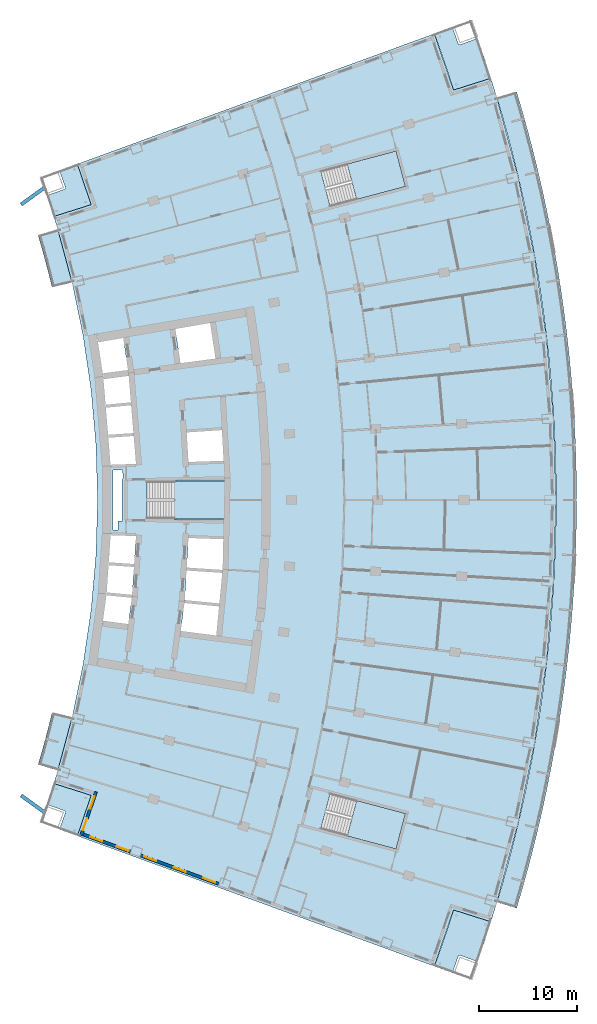
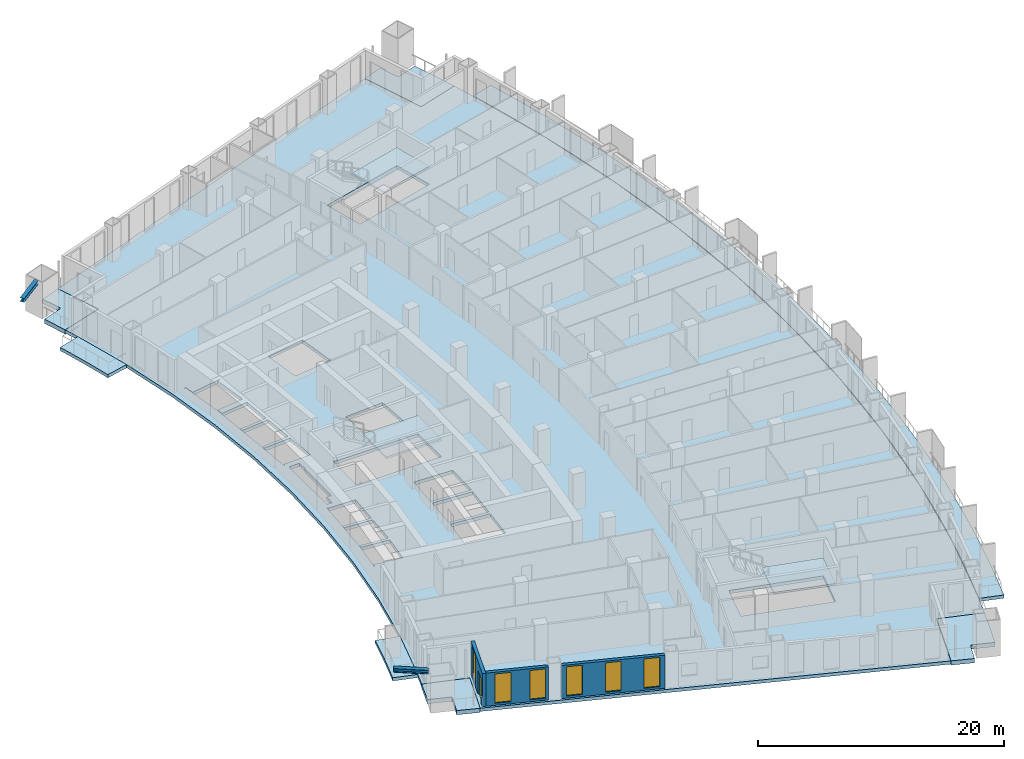
# One storey, part 12 of 25: 11 slabs, 6 windows, 3 walls, 2 members, 1 door, 7 openings, 3 elements without a shape of their own.
"""IFC4 building model written with IfcOpenShell, lengths in metres."""

import ifcopenshell
import ifcopenshell.guid

model = None  # the IFC model being written
_history = None  # IfcOwnerHistory: only IFC2X3 demands one
_inside = {}  # id of a spatial element -> (the spatial element, [elements in it])
_under = {}  # id of a project, library or spatial element -> (it, [spatial elements below it])
_declared = {}  # id of a project -> (the project, [libraries it declares])
_typed = {}  # id of a type object -> (the type object, [elements of that type])
_made_of = {}  # id of a material, layer set ... -> (it, [elements and type objects made of it])


def new_model(schema):
    """Start an empty IFC model of exactly this schema.

    Asked for "IFC4X3", IfcOpenShell would pick the latest addendum, in which some entities
    have other attributes; the version numbers below select the first issue.
    IFC2X3 requires an IfcOwnerHistory on every rooted entity: one is made here for all.
    """
    global model, _history
    if schema == "IFC4X3":
        model = ifcopenshell.file(schema_version=(4, 3, 0, 0))
    else:
        model = ifcopenshell.file(schema=schema)
    _inside.clear()
    _under.clear()
    _declared.clear()
    _typed.clear()
    _made_of.clear()
    _history = None
    if model.schema == "IFC2X3":
        org = make("IfcOrganization", Name="unknown")
        user = make(
            "IfcPersonAndOrganization",
            ThePerson=make("IfcPerson", FamilyName="unknown"),
            TheOrganization=org,
        )
        app = make(
            "IfcApplication",
            ApplicationDeveloper=org,
            Version="unknown",
            ApplicationFullName="unknown",
            ApplicationIdentifier="unknown",
        )
        _history = make(
            "IfcOwnerHistory",
            OwningUser=user,
            OwningApplication=app,
            ChangeAction="ADDED",
            CreationDate=0,
        )
    return model


def make(cls, **values):
    """One entity of the class cls with the attributes given. An attribute that is None is left unset."""
    return model.create_entity(
        cls, **{name: value for name, value in values.items() if value is not None}
    )


def rooted(cls, **values):
    """An entity with a GlobalId (a new one), such as an element, a storey or a relation."""
    return make(cls, GlobalId=ifcopenshell.guid.new(), OwnerHistory=_history, **values)


def si_unit(unit_type, name, prefix=None):
    """IfcSIUnit, for example si_unit("LENGTHUNIT", "METRE", prefix="MILLI")."""
    return make("IfcSIUnit", UnitType=unit_type, Prefix=prefix, Name=name)


def assignment(units):
    """IfcUnitAssignment: the units of a project."""
    return None if units is None else make("IfcUnitAssignment", Units=units)


def point(xyz):
    """IfcCartesianPoint."""
    return None if xyz is None else make("IfcCartesianPoint", Coordinates=xyz)


def direction(xyz):
    """IfcDirection."""
    return None if xyz is None else make("IfcDirection", DirectionRatios=xyz)


def frame(location, z_axis=None, x_axis=None):
    """IfcAxis2Placement3D, a coordinate frame: its origin and axes. An axis left out is left unset."""
    return make(
        "IfcAxis2Placement3D",
        Location=point(location),
        Axis=direction(z_axis),
        RefDirection=direction(x_axis),
    )


def frame_2d(location, x_axis=None):
    """IfcAxis2Placement2D, a coordinate frame in the plane: its origin and x axis."""
    return make(
        "IfcAxis2Placement2D", Location=point(location), RefDirection=direction(x_axis)
    )


def origin():
    """The frame at (0, 0, 0) with its axes left unset."""
    return frame((0.0, 0.0, 0.0))


def origin_2d():
    """The frame at (0, 0) in the plane with its x axis left unset."""
    return frame_2d((0.0, 0.0))


def place(relative_to, where):
    """IfcLocalPlacement: puts the frame where relative to a parent placement (None: the world)."""
    return make(
        "IfcLocalPlacement", PlacementRelTo=relative_to, RelativePlacement=where
    )


def context(
    kind, dimensions, precision=None, world=None, true_north=None, identifier=None
):
    """IfcGeometricRepresentationContext, for example the 3D "Model" context."""
    return make(
        "IfcGeometricRepresentationContext",
        ContextIdentifier=identifier,
        ContextType=kind,
        CoordinateSpaceDimension=dimensions,
        Precision=precision,
        WorldCoordinateSystem=world,
        TrueNorth=true_north,
    )


def subcontext(parent, identifier, kind, view, scale=None):
    """IfcGeometricRepresentationSubContext, for example "Body" below "Model"."""
    return make(
        "IfcGeometricRepresentationSubContext",
        ContextIdentifier=identifier,
        ContextType=kind,
        ParentContext=parent,
        TargetScale=scale,
        TargetView=view,
    )


def project(units=None, contexts=None):
    """IfcProject with its units and contexts."""
    return rooted(
        "IfcProject",
        Name="project",
        RepresentationContexts=contexts,
        UnitsInContext=assignment(units),
    )


def spatial(cls, under=None, at=None, **own):
    """A site, building, storey or space (cls), placed at a placement, below another one or the project."""
    s = rooted(cls, ObjectPlacement=at, **own)
    if under is not None:
        _under.setdefault(under.id(), (under, []))[1].append(s)
    return s


def polyline(points):
    """IfcPolyline through the points."""
    return make("IfcPolyline", Points=[point(p) for p in points])


def profile(cls, at=None, kind="AREA", **sizes):
    """A parametric profile (cls). Its sizes go by their IFC names, for example OverallWidth=200.0."""
    return make(cls, ProfileType=kind, Position=at, **sizes)


def rectangle(**sizes):
    """IfcRectangleProfileDef."""
    return profile("IfcRectangleProfileDef", **sizes)


def i_section(**sizes):
    """IfcIShapeProfileDef."""
    return profile("IfcIShapeProfileDef", **sizes)


def outline(outer, holes=None, kind="AREA"):
    """IfcArbitraryClosedProfileDef: a profile drawn as a closed curve; with holes, ...WithVoids."""
    if holes is None:
        return make("IfcArbitraryClosedProfileDef", ProfileType=kind, OuterCurve=outer)
    return make(
        "IfcArbitraryProfileDefWithVoids",
        ProfileType=kind,
        OuterCurve=outer,
        InnerCurves=holes,
    )


def extrude(swept, where, along, depth):
    """IfcExtrudedAreaSolid: the profile swept, set in the frame where, extruded along a direction by depth."""
    return make(
        "IfcExtrudedAreaSolid",
        SweptArea=swept,
        Position=where,
        ExtrudedDirection=direction(along),
        Depth=depth,
    )


def shape(context_of_items, identifier, shape_type, items):
    """IfcShapeRepresentation: the items that make up one representation, for example the "Body"."""
    return make(
        "IfcShapeRepresentation",
        ContextOfItems=context_of_items,
        RepresentationIdentifier=identifier,
        RepresentationType=shape_type,
        Items=items,
    )


def material(Name=None, Category=None):
    """IfcMaterial."""
    return make("IfcMaterial", Name=Name, Category=Category)


def layer(
    of_material, thickness, ventilated=None, Name=None, Category=None, Priority=None
):
    """IfcMaterialLayer: one layer of a wall or slab, of a material (None: an air gap)."""
    return make(
        "IfcMaterialLayer",
        Material=of_material,
        LayerThickness=thickness,
        IsVentilated=ventilated,
        Name=Name,
        Category=Category,
        Priority=Priority,
    )


def layer_set(layers, Name=None):
    """IfcMaterialLayerSet."""
    return make("IfcMaterialLayerSet", MaterialLayers=layers, LayerSetName=Name)


def material_profile(
    of_material, cross_section, Name=None, Category=None, Priority=None
):
    """IfcMaterialProfile: a cross section and its material."""
    return make(
        "IfcMaterialProfile",
        Name=Name,
        Material=of_material,
        Profile=cross_section,
        Priority=Priority,
        Category=Category,
    )


def profile_set(profiles, Name=None, composite=None):
    """IfcMaterialProfileSet."""
    return make(
        "IfcMaterialProfileSet",
        Name=Name,
        MaterialProfiles=profiles,
        CompositeProfile=composite,
    )


def made_of(thing, what):
    """Note that an element or type object is made of a material, layer set ...; save() writes the relation."""
    if what is not None:
        _made_of.setdefault(what.id(), (what, []))[1].append(thing)
    return thing


def type_object(cls, material=None, **own):
    """A type object (cls), such as IfcWallType, which elements share."""
    return made_of(rooted(cls, **own), material)


def element(
    cls,
    number,
    at=None,
    inside=None,
    cuts=None,
    type_object=None,
    material=None,
    context=None,
    identifier="Body",
    shape_type=None,
    held_by="IfcProductDefinitionShape",
    body=None,
    shapes=None,
    **own,
):
    """One element of the class cls, such as IfcWall. Its Tag is "e" and its number.

    at: its placement. inside: the storey or other place that contains it. cuts: it is an
    opening in that element (IfcRelVoidsElement). A single representation is given by context,
    identifier, shape_type and body (its items); several are given by shapes. held_by: the class
    of the entity that holds the representations. save() writes the other relations.
    """
    e = rooted(cls, Tag="e%d" % number, ObjectPlacement=at, **own)
    if body is not None:
        shapes = [shape(context, identifier, shape_type, body)]
    if shapes is not None:
        e.Representation = make(held_by, Representations=shapes)
    if inside is not None:
        _inside.setdefault(inside.id(), (inside, []))[1].append(e)
    if cuts is not None:
        rooted(
            "IfcRelVoidsElement", RelatingBuildingElement=cuts, RelatedOpeningElement=e
        )
    if type_object is not None:
        _typed.setdefault(type_object.id(), (type_object, []))[1].append(e)
    return made_of(e, material)


def fill(opening, filler):
    """IfcRelFillsElement: the door or window that sits in an opening."""
    return rooted(
        "IfcRelFillsElement",
        RelatingOpeningElement=opening,
        RelatedBuildingElement=filler,
    )


def aggregate(whole, parts):
    """IfcRelAggregates: a whole, such as a stair, and the parts it consists of."""
    return rooted("IfcRelAggregates", RelatingObject=whole, RelatedObjects=parts)


def save(model, path):
    """Write the relations noted so far, then the file.

    IfcRelAggregates (storeys below a building ...), IfcRelContainedInSpatialStructure (elements
    in a storey), IfcRelDefinesByType, IfcRelAssociatesMaterial and IfcRelDeclares: one each for
    every whole, place, type object, material and project.
    """
    for whole, parts in _under.values():
        aggregate(whole, parts)
    for where, things in _inside.values():
        rooted(
            "IfcRelContainedInSpatialStructure",
            RelatedElements=things,
            RelatingStructure=where,
        )
    for kind, things in _typed.values():
        rooted("IfcRelDefinesByType", RelatedObjects=things, RelatingType=kind)
    for what, things in _made_of.values():
        rooted("IfcRelAssociatesMaterial", RelatedObjects=things, RelatingMaterial=what)
    for by, libraries in _declared.values():
        rooted("IfcRelDeclares", RelatingContext=by, RelatedDefinitions=libraries)
    model.write(path)


model = new_model("IFC4")

# Units and contexts
model_context = context("Model", 3, precision=1e-05, world=origin(), true_north=direction((0.0, 1.0)))
body_context = subcontext(model_context, "Body", "Model", "MODEL_VIEW")
ifc_project = project(units=[si_unit("LENGTHUNIT", "METRE"), si_unit("AREAUNIT", "SQUARE_METRE"), si_unit("VOLUMEUNIT", "CUBIC_METRE"), si_unit("PLANEANGLEUNIT", "RADIAN"), si_unit("MASSUNIT", "GRAM", prefix="KILO")], contexts=[model_context])

# Site, building, storey
site_placement = place(None, origin())
site = spatial("IfcSite", under=ifc_project, at=site_placement, CompositionType="ELEMENT")
building_placement = place(site_placement, origin())
building = spatial("IfcBuilding", under=site, at=building_placement, Name="Alderwake Tower", CompositionType="ELEMENT")
storey_placement = place(building_placement, frame((0.0, 0.0, 68.0)))
storey = spatial("IfcBuildingStorey", under=building, at=storey_placement, Name="L16", CompositionType="ELEMENT", Elevation=68.0)

# Members
ifc_material_1 = material(Name="Steel ASTM A992 Grade 50", Category="steel")
ifc_material_profile = material_profile(ifc_material_1, i_section(OverallWidth=0.3740234375, OverallDepth=0.372314453125, WebThickness=0.016357421875, FlangeThickness=0.026123046875, at=origin_2d()), Name="W14X132")
ifc_profile_set = profile_set([ifc_material_profile], Name="Steel ASTM A992 Grade 50")
member_type = type_object("IfcMemberType", Name="Brace node stub W14X132", PredefinedType="MEMBER", material=ifc_profile_set)
for number, where, z_axis, x_axis, name in (
    (1, (10.514892578125, 29.16943359375, 3.393798828125), (-0.810962638801, 0.585097939211, 0.0), (-0.585097939211, -0.810962638801, 0.0), "Brace node stub BS.RR01-C0.716"),
    (2, (10.514892578125, 92.83056640625, 3.393798828125), (-0.810962638801, -0.585097939211, 0.0), (0.585097939211, -0.810962638801, 0.0), "Brace node stub BS.RR13-C0.716"),
):
    element("IfcMember", number, at=place(storey_placement, frame(where, z_axis=z_axis, x_axis=x_axis)), inside=storey, type_object=member_type, Name=name, PredefinedType="MEMBER", context=body_context, shape_type="SweptSolid", body=[
        extrude(i_section(OverallWidth=0.3740234375, OverallDepth=0.372314453125, WebThickness=0.016357421875, FlangeThickness=0.026123046875, at=origin_2d()), origin(), (0.0, 0.0, 1.0), 2.861083984375),
    ])

# Slabs
ifc_material_2 = material(Name="Concrete C50/60", Category="concrete")
ifc_layer_1 = layer(ifc_material_2, 0.320068359375)
ifc_layer_set_1 = layer_set([ifc_layer_1], Name="Balcony slab 320")
slab_type_1 = type_object("IfcSlabType", Name="Balcony slab 320", PredefinedType="FLOOR", material=ifc_layer_set_1)
slab_1_placement = place(storey_placement, frame((0.0, 0.0, -0.320068359375)))
element("IfcSlab", 3, at=slab_1_placement, inside=storey, type_object=slab_type_1, Name="Balcony BF02", PredefinedType="FLOOR", context=body_context, shape_type="SweptSolid", body=[
    extrude(outline(polyline([(58.7802734375, 19.334228515625), (59.373046875, 21.3623046875), (59.936279296875, 23.399169921875), (60.4697265625, 25.443603515625), (60.973388671875, 27.49609375), (61.447021484375, 29.555419921875), (61.890380859375, 31.621337890625), (62.3037109375, 33.693603515625), (62.68701171875, 35.771728515625), (63.03955078125, 37.855224609375), (63.36181640625, 39.943603515625), (63.65380859375, 42.036376953125), (63.9150390625, 44.13330078125), (64.145751953125, 46.23388671875), (64.345703125, 48.33740234375), (64.514892578125, 50.443603515625), (64.653564453125, 52.55224609375), (64.76123046875, 54.66259765625), (64.83837890625, 56.7744140625), (64.884521484375, 58.886962890625), (64.89990234375, 61.0), (64.884521484375, 63.113037109375), (64.83837890625, 65.2255859375), (64.76123046875, 67.33740234375), (64.653564453125, 69.44775390625), (64.514892578125, 71.556396484375), (64.345703125, 73.66259765625), (64.145751953125, 75.76611328125), (63.9150390625, 77.86669921875), (63.65380859375, 79.963623046875), (63.36181640625, 82.056396484375), (63.03955078125, 84.144775390625), (62.68701171875, 86.228271484375), (62.3037109375, 88.306396484375), (61.890380859375, 90.378662109375), (61.447021484375, 92.444580078125), (60.973388671875, 94.50390625), (60.4697265625, 96.556396484375), (59.936279296875, 98.600830078125), (59.373046875, 100.6376953125), (58.7802734375, 102.665771484375), (56.76904296875, 102.06201171875), (57.353271484375, 100.06298828125), (57.908203125, 98.055908203125), (58.43408203125, 96.041015625), (58.930419921875, 94.0185546875), (59.39697265625, 91.989013671875), (59.833984375, 89.952880859375), (60.241455078125, 87.91064453125), (60.618896484375, 85.862548828125), (60.966552734375, 83.809326171875), (61.2841796875, 81.751220703125), (61.57177734375, 79.688720703125), (61.829345703125, 77.622314453125), (62.056640625, 75.55224609375), (62.253662109375, 73.47900390625), (62.42041015625, 71.4033203125), (62.55712890625, 69.3251953125), (62.663330078125, 67.24560546875), (62.7392578125, 65.164306640625), (62.784912109375, 63.08251953125), (62.800048828125, 61.0), (62.784912109375, 58.91748046875), (62.7392578125, 56.835693359375), (62.663330078125, 54.75439453125), (62.55712890625, 52.6748046875), (62.42041015625, 50.5966796875), (62.253662109375, 48.52099609375), (62.056640625, 46.44775390625), (61.829345703125, 44.377685546875), (61.57177734375, 42.311279296875), (61.2841796875, 40.248779296875), (60.966552734375, 38.190673828125), (60.618896484375, 36.137451171875), (60.241455078125, 34.08935546875), (59.833984375, 32.047119140625), (59.39697265625, 30.010986328125), (58.930419921875, 27.9814453125), (58.43408203125, 25.958984375), (57.908203125, 23.944091796875), (57.353271484375, 21.93701171875), (56.76904296875, 19.93798828125), (58.7802734375, 19.334228515625)])), origin(), (0.0, 0.0, 1.0), 0.320068359375),
])
slab_2_placement = place(storey_placement, frame((0.0, 0.0, -0.320068359375)))
element("IfcSlab", 4, at=slab_2_placement, inside=storey, type_object=slab_type_1, Name="Balcony BR02", PredefinedType="FLOOR", context=body_context, shape_type="SweptSolid", body=[
    extrude(outline(polyline([(9.93408203125, 33.999267578125), (11.945556640625, 33.395263671875), (13.3984375, 38.802734375), (11.35546875, 39.288330078125), (11.029052734375, 37.95849609375), (10.683349609375, 36.63330078125), (10.318359375, 35.3134765625), (9.93408203125, 33.999267578125)])), origin(), (0.0, 0.0, 1.0), 0.320068359375),
])
slab_3_placement = place(storey_placement, frame((0.0, 0.0, -0.320068359375)))
element("IfcSlab", 5, at=slab_3_placement, inside=storey, type_object=slab_type_1, Name="Balcony BR11", PredefinedType="FLOOR", context=body_context, shape_type="SweptSolid", body=[
    extrude(outline(polyline([(11.35546875, 82.711669921875), (13.3984375, 83.197265625), (11.945556640625, 88.604736328125), (9.93408203125, 88.000732421875), (10.318359375, 86.6865234375), (10.683349609375, 85.36669921875), (11.029052734375, 84.04150390625), (11.35546875, 82.711669921875)])), origin(), (0.0, 0.0, 1.0), 0.320068359375),
])
ifc_material_3 = material(Name="Concrete C50/60", Category="concrete")
ifc_layer_2 = layer(ifc_material_3, 0.320068359375)
ifc_layer_set_2 = layer_set([ifc_layer_2], Name="Concrete C50/60 post-tensioned flat plate 320")
slab_type_2 = type_object("IfcSlabType", Name="Concrete C50/60 post-tensioned flat plate 320", PredefinedType="FLOOR", material=ifc_layer_set_2)
slab_4_placement = place(storey_placement, frame((0.0, 0.0, -0.320068359375)))
element("IfcSlab", 6, at=slab_4_placement, inside=storey, type_object=slab_type_2, Name="Floor slab L16", PredefinedType="FLOOR", context=body_context, shape_type="SweptSolid", body=[
    extrude(outline(polyline([(11.533203125, 32.057373046875), (11.945556640625, 33.395263671875), (13.3984375, 38.802734375), (14.53369140625, 44.28564453125), (15.347412109375, 49.825439453125), (15.836669921875, 55.4033203125), (16.0, 61.0), (15.836669921875, 66.5966796875), (15.347412109375, 72.174560546875), (14.53369140625, 77.71435546875), (13.3984375, 83.197265625), (11.945556640625, 88.604736328125), (11.533203125, 89.942626953125), (15.34716796875, 91.1484375), (13.937255859375, 95.289794921875), (50.385009765625, 108.59423828125), (52.341796875, 102.84619140625), (56.155517578125, 104.052001953125), (56.76904296875, 102.06201171875), (58.930419921875, 94.0185546875), (60.618896484375, 85.862548828125), (61.829345703125, 77.622314453125), (62.55712890625, 69.3251953125), (62.800048828125, 61.0), (62.55712890625, 52.6748046875), (61.829345703125, 44.377685546875), (60.618896484375, 36.137451171875), (58.930419921875, 27.9814453125), (56.76904296875, 19.93798828125), (56.155517578125, 17.947998046875), (52.341796875, 19.15380859375), (50.385009765625, 13.40576171875), (13.937255859375, 26.710205078125), (15.34716796875, 30.8515625), (11.533203125, 32.057373046875)]), holes=[polyline([(16.943359375, 51.26953125), (16.9580078125, 51.4189453125), (16.972900390625, 51.568115234375), (19.525146484375, 51.31591796875), (19.71630859375, 54.164794921875), (17.153564453125, 54.33642578125), (17.16357421875, 54.486083984375), (17.173583984375, 54.6357421875), (19.736083984375, 54.464111328125), (19.92724609375, 57.312744140625), (17.364013671875, 57.403564453125), (17.369140625, 57.553466796875), (17.33935546875, 57.554443359375), (17.1337890625, 54.48828125), (16.927978515625, 51.421875), (16.92822265625, 51.421875), (16.50927734375, 48.377197265625), (16.5390625, 48.373291015625), (16.577880859375, 48.6708984375), (19.138671875, 48.3359375), (19.495361328125, 51.017333984375), (16.943359375, 51.26953125)]), polyline([(29.0, 62.875), (21.050048828125, 62.875), (21.050048828125, 59.125), (29.0, 59.125), (29.0, 62.875)]), polyline([(19.688720703125, 67.53271484375), (17.12548828125, 67.361083984375), (17.115478515625, 67.510498046875), (17.10546875, 67.660400390625), (19.6640625, 67.831787109375), (19.42822265625, 70.674560546875), (16.87646484375, 70.42236328125), (16.86181640625, 70.571533203125), (16.846923828125, 70.720947265625), (19.403564453125, 70.973388671875), (19.179931640625, 73.66943359375), (16.646484375, 73.338134765625), (16.607666015625, 73.635498046875), (16.56884765625, 73.93310546875), (19.111083984375, 74.265625), (18.6240234375, 77.531982421875), (18.919921875, 77.575927734375), (18.916748046875, 77.593994140625), (16.082275390625, 77.10546875), (15.9345703125, 77.9619140625), (15.634765625, 77.908935546875), (15.63525390625, 77.9052734375), (15.9140625, 77.9482421875), (16.57763671875, 73.631591796875), (16.578369140625, 73.626220703125), (16.831787109375, 70.568603515625), (17.085693359375, 67.508544921875), (17.33935546875, 64.4482421875), (17.33935546875, 64.445556640625), (17.369384765625, 64.446533203125), (17.364013671875, 64.596435546875), (19.9248046875, 64.687255859375), (19.688720703125, 67.53271484375)]), polyline([(47.436279296875, 28.996826171875), (39.754150390625, 31.043212890625), (38.7890625, 27.41943359375), (46.47119140625, 25.373291015625), (47.436279296875, 28.996826171875)]), polyline([(24.87451171875, 50.48583984375), (24.878662109375, 50.52783203125), (24.875, 50.5283203125), (24.48974609375, 47.635986328125), (28.117919921875, 47.16162109375), (28.40478515625, 50.136962890625), (24.87451171875, 50.48583984375)]), polyline([(25.080810546875, 53.804931640625), (24.89501953125, 50.731201171875), (24.898681640625, 50.730712890625), (24.904052734375, 50.784423828125), (28.43359375, 50.435546875), (28.735107421875, 53.56005859375), (25.080810546875, 53.804931640625)]), polyline([(28.83740234375, 56.997314453125), (25.281494140625, 57.123291015625), (25.09912109375, 54.1044921875), (28.759521484375, 53.859130859375), (28.7578125, 53.8359375), (28.76171875, 53.835693359375), (28.769287109375, 53.915283203125), (28.83740234375, 56.997314453125)]), polyline([(28.873779296875, 65.00390625), (28.689453125, 68.13623046875), (25.101318359375, 67.895751953125), (25.2822265625, 64.876708984375), (28.873779296875, 65.00390625)]), polyline([(27.490966796875, 79.072021484375), (23.932373046875, 78.45849609375), (23.93310546875, 78.454833984375), (23.9443359375, 78.45654296875), (24.4697265625, 74.972412109375), (24.36474609375, 74.95654296875), (24.365478515625, 74.952880859375), (28.0400390625, 75.433349609375), (27.490966796875, 79.072021484375)]), polyline([(46.47119140625, 96.626708984375), (38.7890625, 94.58056640625), (39.754150390625, 90.956787109375), (47.436279296875, 93.003173828125), (46.47119140625, 96.626708984375)]), polyline([(17.58935546875, 64.05419921875), (17.58935546875, 57.94580078125), (18.065673828125, 57.928955078125), (18.090576171875, 58.84326171875), (18.544189453125, 58.8310546875), (18.529296875, 58.8681640625), (18.5234375, 58.89208984375), (18.5185546875, 58.94091796875), (18.5185546875, 63.060302734375), (18.5234375, 63.109130859375), (18.53759765625, 63.156005859375), (18.560791015625, 63.19921875), (18.588623046875, 63.233642578125), (18.565185546875, 64.088623046875), (17.58935546875, 64.05419921875)])]), origin(), (0.0, 0.0, 1.0), 0.320068359375),
])

# Stair, slab
ifc_material_4 = material(Name="Concrete C40/50", Category="concrete")
stair_type = type_object("IfcStairType", Name="Core exit stair", PredefinedType="HALF_TURN_STAIR", material=ifc_material_4)
stair_1_placement = place(storey_placement, origin())
stair_1 = element("IfcStair", 7, at=stair_1_placement, inside=storey, type_object=stair_type, Name="L16 Exit Stair B", PredefinedType="HALF_TURN_STAIR")
ifc_material_5 = material(Name="Concrete C40/50", Category="concrete")
ifc_layer_3 = layer(ifc_material_5, 0.199951171875)
ifc_layer_set_3 = layer_set([ifc_layer_3], Name="Core stair landing 200")
slab_type_3 = type_object("IfcSlabType", Name="Core stair landing 200", PredefinedType="LANDING", material=ifc_layer_set_3)
slab_5_placement = place(storey_placement, frame((0.0, 0.0, 1.60009765625)))
slab_5 = element("IfcSlab", 8, at=slab_5_placement, type_object=slab_type_3, Name="ST-B landing 1", PredefinedType="LANDING", context=body_context, shape_type="SweptSolid", body=[
    extrude(outline(polyline([(23.830078125, 59.074951171875), (29.0, 59.074951171875), (29.0, 62.925048828125), (23.830078125, 62.925048828125), (23.830078125, 59.074951171875)])), origin(), (0.0, 0.0, 1.0), 0.199951171875),
])
aggregate(stair_1, [slab_5])

stair_2_placement = place(storey_placement, origin())
stair_2 = element("IfcStair", 9, at=stair_2_placement, inside=storey, type_object=stair_type, Name="L16 Exit Stair A", PredefinedType="HALF_TURN_STAIR")
slab_6_placement = place(storey_placement, frame((0.0, 0.0, 1.60009765625)))
slab_6 = element("IfcSlab", 10, at=slab_6_placement, type_object=slab_type_3, Name="ST-A landing 1", PredefinedType="LANDING", context=body_context, shape_type="SweptSolid", body=[
    extrude(outline(polyline([(42.440673828125, 91.67236328125), (47.436279296875, 93.003173828125), (46.47119140625, 96.626708984375), (41.475341796875, 95.296142578125), (42.440673828125, 91.67236328125)])), origin(), (0.0, 0.0, 1.0), 0.199951171875),
])
aggregate(stair_2, [slab_6])

stair_3_placement = place(storey_placement, origin())
stair_3 = element("IfcStair", 11, at=stair_3_placement, inside=storey, type_object=stair_type, Name="L16 Exit Stair C", PredefinedType="HALF_TURN_STAIR")
slab_7_placement = place(storey_placement, frame((0.0, 0.0, 1.60009765625)))
slab_7 = element("IfcSlab", 12, at=slab_7_placement, type_object=slab_type_3, Name="ST-C landing 1", PredefinedType="LANDING", context=body_context, shape_type="SweptSolid", body=[
    extrude(outline(polyline([(41.475341796875, 26.703857421875), (46.47119140625, 25.373291015625), (47.436279296875, 28.996826171875), (42.4404296875, 30.32763671875), (41.475341796875, 26.703857421875)])), origin(), (0.0, 0.0, 1.0), 0.199951171875),
])
aggregate(stair_3, [slab_7])

# Slabs
ifc_material_6 = material(Name="Concrete C50/60", Category="concrete")
ifc_layer_4 = layer(ifc_material_6, 0.419921875)
ifc_layer_set_4 = layer_set([ifc_layer_4], Name="Terrace slab 420")
slab_type_4 = type_object("IfcSlabType", Name="Terrace slab 420", PredefinedType="FLOOR", material=ifc_layer_set_4)
slab_8_placement = place(storey_placement, frame((0.0, 0.0, -0.419921875)))
element("IfcSlab", 13, at=slab_8_placement, inside=storey, type_object=slab_type_4, Name="Corner terrace FS", PredefinedType="FLOOR", context=body_context, shape_type="SweptSolid", body=[
    extrude(outline(polyline([(54.84228515625, 13.99560546875), (54.798828125, 13.87451171875), (53.0146484375, 14.512939453125), (53.00048828125, 14.51708984375), (52.986083984375, 14.52001953125), (52.971435546875, 14.521484375), (52.956787109375, 14.521484375), (52.94189453125, 14.52001953125), (52.927490234375, 14.51708984375), (52.91357421875, 14.512939453125), (52.89990234375, 14.50732421875), (52.886962890625, 14.50048828125), (52.874755859375, 14.4921875), (52.86328125, 14.48291015625), (52.852783203125, 14.472412109375), (52.843505859375, 14.461181640625), (52.83544921875, 14.44873046875), (52.828369140625, 14.435791015625), (52.82275390625, 14.42236328125), (52.219482421875, 12.736083984375), (50.385009765625, 13.40576171875), (51.065185546875, 15.312255859375), (51.71728515625, 17.228515625), (52.341796875, 19.15380859375), (56.155517578125, 17.947998046875), (55.51318359375, 15.967041015625), (54.84228515625, 13.99560546875)])), origin(), (0.0, 0.0, 1.0), 0.419921875),
])
slab_9_placement = place(storey_placement, frame((0.0, 0.0, -0.419921875)))
element("IfcSlab", 14, at=slab_9_placement, inside=storey, type_object=slab_type_4, Name="Corner terrace RS", PredefinedType="FLOOR", context=body_context, shape_type="SweptSolid", body=[
    extrude(outline(polyline([(13.937255859375, 26.710205078125), (12.10888671875, 27.377685546875), (12.114013671875, 27.39013671875), (12.71533203125, 29.086669921875), (12.7197265625, 29.100830078125), (12.722412109375, 29.115234375), (12.723876953125, 29.1298828125), (12.723876953125, 29.14453125), (12.722412109375, 29.1591796875), (12.719482421875, 29.173583984375), (12.715087890625, 29.187744140625), (12.70947265625, 29.201416015625), (12.702392578125, 29.21435546875), (12.6943359375, 29.2265625), (12.684814453125, 29.23779296875), (12.674560546875, 29.248291015625), (12.6630859375, 29.257568359375), (12.65087890625, 29.265625), (12.6376953125, 29.272705078125), (12.624267578125, 29.2783203125), (10.82568359375, 29.915771484375), (11.101318359375, 30.7255859375), (11.533203125, 32.057373046875), (15.34716796875, 30.8515625), (13.937255859375, 26.710205078125)])), origin(), (0.0, 0.0, 1.0), 0.419921875),
])
slab_10_placement = place(storey_placement, frame((0.0, 0.0, -0.419921875)))
element("IfcSlab", 15, at=slab_10_placement, inside=storey, type_object=slab_type_4, Name="Corner terrace FN", PredefinedType="FLOOR", context=body_context, shape_type="SweptSolid", body=[
    extrude(outline(polyline([(54.84228515625, 108.00439453125), (55.51318359375, 106.032958984375), (56.155517578125, 104.052001953125), (52.341796875, 102.84619140625), (51.71728515625, 104.771484375), (51.065185546875, 106.687744140625), (50.385009765625, 108.59423828125), (52.219482421875, 109.263916015625), (52.82275390625, 107.57763671875), (52.828369140625, 107.564208984375), (52.83544921875, 107.55126953125), (52.843505859375, 107.538818359375), (52.852783203125, 107.527587890625), (52.86328125, 107.51708984375), (52.874755859375, 107.5078125), (52.886962890625, 107.49951171875), (52.89990234375, 107.49267578125), (52.91357421875, 107.487060546875), (52.927490234375, 107.48291015625), (52.94189453125, 107.47998046875), (52.956787109375, 107.478515625), (52.971435546875, 107.478515625), (52.986083984375, 107.47998046875), (53.00048828125, 107.48291015625), (53.0146484375, 107.487060546875), (54.798828125, 108.12548828125), (54.84228515625, 108.00439453125)])), origin(), (0.0, 0.0, 1.0), 0.419921875),
])
slab_11_placement = place(storey_placement, frame((0.0, 0.0, -0.419921875)))
element("IfcSlab", 16, at=slab_11_placement, inside=storey, type_object=slab_type_4, Name="Corner terrace RN", PredefinedType="FLOOR", context=body_context, shape_type="SweptSolid", body=[
    extrude(outline(polyline([(10.82568359375, 92.084228515625), (12.624267578125, 92.7216796875), (12.6376953125, 92.727294921875), (12.65087890625, 92.734375), (12.6630859375, 92.742431640625), (12.674560546875, 92.751708984375), (12.684814453125, 92.76220703125), (12.6943359375, 92.7734375), (12.702392578125, 92.78564453125), (12.70947265625, 92.798583984375), (12.715087890625, 92.812255859375), (12.719482421875, 92.826416015625), (12.722412109375, 92.8408203125), (12.723876953125, 92.85546875), (12.723876953125, 92.8701171875), (12.722412109375, 92.884765625), (12.7197265625, 92.899169921875), (12.71533203125, 92.913330078125), (12.114013671875, 94.60986328125), (12.10888671875, 94.622314453125), (13.937255859375, 95.289794921875), (15.34716796875, 91.1484375), (11.533203125, 89.942626953125), (11.101318359375, 91.2744140625), (10.82568359375, 92.084228515625)])), origin(), (0.0, 0.0, 1.0), 0.419921875),
])

# Wall, openings, door, window
ifc_material_7 = material(Name="Bronze metal cladding on lightweight framing")
ifc_layer_5 = layer(ifc_material_7, 0.300048828125)
ifc_layer_set_5 = layer_set([ifc_layer_5], Name="External wall EW2 bronze metal cladding")
wall_type = type_object("IfcWallType", Name="External wall EW2 bronze metal cladding", PredefinedType="SOLIDWALL", material=ifc_layer_set_5)
wall_1_placement = place(storey_placement, frame((15.83740234375, 31.220703125, 0.0), z_axis=(0.0, 0.0, 1.0), x_axis=(-0.32041006121, -0.947278941324, 0.0)))
wall_1 = element("IfcWall", 17, at=wall_1_placement, inside=storey, type_object=wall_type, Name="External wall 3", PredefinedType="SOLIDWALL", context=body_context, shape_type="SweptSolid", body=[
    extrude(rectangle(XDim=4.68994140625, YDim=0.300048828125, at=frame_2d((2.344970703125, 0.0))), origin(), (0.0, 0.0, 1.0), 3.280029296875),
])
opening_1_placement = place(wall_1_placement, frame((0.5224609375, 0.0, 0.199951171875)))
opening_1 = element("IfcOpeningElement", 18, at=opening_1_placement, cuts=wall_1, Name="Opening W1", PredefinedType="OPENING", context=body_context, shape_type="SweptSolid", body=[
    extrude(rectangle(XDim=1.300048828125, YDim=2.89990234375, at=frame_2d((0.64990234375, 1.449951171875))), frame((0.0, 0.159912109375, 0.0), z_axis=(0.0, -1.0, 0.0), x_axis=(1.0, 0.0, 0.0)), (0.0, 0.0, 1.0), 0.320068359375),
])
opening_2_placement = place(wall_1_placement, frame((2.867431640625, 0.0, 0.0)))
opening_2 = element("IfcOpeningElement", 19, at=opening_2_placement, cuts=wall_1, Name="Opening D01", PredefinedType="OPENING", context=body_context, shape_type="SweptSolid", body=[
    extrude(rectangle(XDim=1.300048828125, YDim=2.39990234375, at=frame_2d((0.64990234375, 1.199951171875))), frame((0.0, 0.159912109375, 0.0), z_axis=(0.0, -1.0, 0.0), x_axis=(1.0, 0.0, 0.0)), (0.0, 0.0, 1.0), 0.320068359375),
])
ifc_material_8 = material(Name="Bronze tinted glass in aluminium frame", Category="aluminium")
door_type = type_object("IfcDoorType", Name="Balcony door BD sliding", OperationType="SLIDING_TO_LEFT", PredefinedType="DOOR", material=ifc_material_8)
door_placement = place(opening_2_placement, origin())
door = element("IfcDoor", 20, at=door_placement, inside=storey, type_object=door_type, Name="Door D01", OperationType="SLIDING_TO_LEFT", OverallHeight=2.39990234375, OverallWidth=1.300048828125, PredefinedType="DOOR", context=body_context, shape_type="SweptSolid", body=[
    extrude(rectangle(XDim=1.300048828125, YDim=2.39990234375, at=frame_2d((0.64990234375, 1.199951171875))), frame((0.0, 0.02490234375, 0.0), z_axis=(0.0, -1.0, 0.0), x_axis=(1.0, 0.0, 0.0)), (0.0, 0.0, 1.0), 0.050048828125),
])
fill(opening_2, door)
ifc_material_9 = material(Name="Bronze tinted glass in aluminium frame", Category="aluminium")
window_type = type_object("IfcWindowType", Name="Window W1 tall fixed and vent", PartitioningType="DOUBLE_PANEL_VERTICAL", PredefinedType="WINDOW", material=ifc_material_9)
window_1_placement = place(opening_1_placement, origin())
window_1 = element("IfcWindow", 21, at=window_1_placement, inside=storey, type_object=window_type, Name="Window W1 tall fixed and vent", OverallHeight=2.89990234375, OverallWidth=1.300048828125, PartitioningType="DOUBLE_PANEL_VERTICAL", PredefinedType="WINDOW", context=body_context, shape_type="SweptSolid", body=[
    extrude(rectangle(XDim=1.300048828125, YDim=2.89990234375, at=frame_2d((0.64990234375, 1.449951171875))), frame((0.0, 0.030029296875, 0.0), z_axis=(0.0, -1.0, 0.0), x_axis=(1.0, 0.0, 0.0)), (0.0, 0.0, 1.0), 0.06005859375),
])
fill(opening_1, window_1)

# Wall, openings, windows
wall_2_placement = place(storey_placement, frame((14.523681640625, 26.86865234375, 0.0), z_axis=(0.0, 0.0, 1.0), x_axis=(0.939371865822, -0.342900127883, 0.0)))
wall_2 = element("IfcWall", 22, at=wall_2_placement, inside=storey, type_object=wall_type, Name="External wall 4", PredefinedType="SOLIDWALL", context=body_context, shape_type="SweptSolid", body=[
    extrude(rectangle(XDim=5.149169921875, YDim=0.300048828125, at=frame_2d((2.57470703125, 0.0))), origin(), (0.0, 0.0, 1.0), 3.280029296875),
])
opening_3_placement = place(wall_2_placement, frame((0.775390625, 0.0, 0.199951171875)))
opening_3 = element("IfcOpeningElement", 23, at=opening_3_placement, cuts=wall_2, Name="Opening W1", PredefinedType="OPENING", context=body_context, shape_type="SweptSolid", body=[
    extrude(rectangle(XDim=1.300048828125, YDim=2.89990234375, at=frame_2d((0.64990234375, 1.449951171875))), frame((0.0, 0.159912109375, 0.0), z_axis=(0.0, -1.0, 0.0), x_axis=(1.0, 0.0, 0.0)), (0.0, 0.0, 1.0), 0.320068359375),
])
opening_4_placement = place(wall_2_placement, frame((3.626220703125, 0.0, 0.199951171875)))
opening_4 = element("IfcOpeningElement", 24, at=opening_4_placement, cuts=wall_2, Name="Opening W1", PredefinedType="OPENING", context=body_context, shape_type="SweptSolid", body=[
    extrude(rectangle(XDim=1.300048828125, YDim=2.89990234375, at=frame_2d((0.64990234375, 1.449951171875))), frame((0.0, 0.159912109375, 0.0), z_axis=(0.0, -1.0, 0.0), x_axis=(1.0, 0.0, 0.0)), (0.0, 0.0, 1.0), 0.320068359375),
])
window_2_placement = place(opening_3_placement, origin())
window_2 = element("IfcWindow", 25, at=window_2_placement, inside=storey, type_object=window_type, Name="Window W1 tall fixed and vent", OverallHeight=2.89990234375, OverallWidth=1.300048828125, PartitioningType="DOUBLE_PANEL_VERTICAL", PredefinedType="WINDOW", context=body_context, shape_type="SweptSolid", body=[
    extrude(rectangle(XDim=1.300048828125, YDim=2.89990234375, at=frame_2d((0.64990234375, 1.449951171875))), frame((0.0, 0.030029296875, 0.0), z_axis=(0.0, -1.0, 0.0), x_axis=(1.0, 0.0, 0.0)), (0.0, 0.0, 1.0), 0.06005859375),
])
fill(opening_3, window_2)
window_3_placement = place(opening_4_placement, origin())
window_3 = element("IfcWindow", 26, at=window_3_placement, inside=storey, type_object=window_type, Name="Window W1 tall fixed and vent", OverallHeight=2.89990234375, OverallWidth=1.300048828125, PartitioningType="DOUBLE_PANEL_VERTICAL", PredefinedType="WINDOW", context=body_context, shape_type="SweptSolid", body=[
    extrude(rectangle(XDim=1.300048828125, YDim=2.89990234375, at=frame_2d((0.64990234375, 1.449951171875))), frame((0.0, 0.030029296875, 0.0), z_axis=(0.0, -1.0, 0.0), x_axis=(1.0, 0.0, 0.0)), (0.0, 0.0, 1.0), 0.06005859375),
])
fill(opening_4, window_3)

wall_3_placement = place(storey_placement, frame((20.398681640625, 24.72412109375, 0.0), z_axis=(0.0, 0.0, 1.0), x_axis=(0.939369809957, -0.342905759856, 0.0)))
wall_3 = element("IfcWall", 27, at=wall_3_placement, inside=storey, type_object=wall_type, Name="External wall 5", PredefinedType="SOLIDWALL", context=body_context, shape_type="SweptSolid", body=[
    extrude(rectangle(XDim=8.495361328125, YDim=0.300048828125, at=frame_2d((4.24755859375, 0.0))), origin(), (0.0, 0.0, 1.0), 3.280029296875),
])
opening_5_placement = place(wall_3_placement, frame((0.3974609375, 0.0, 0.199951171875)))
opening_5 = element("IfcOpeningElement", 28, at=opening_5_placement, cuts=wall_3, Name="Opening W1", PredefinedType="OPENING", context=body_context, shape_type="SweptSolid", body=[
    extrude(rectangle(XDim=1.300048828125, YDim=2.89990234375, at=frame_2d((0.64990234375, 1.449951171875))), frame((0.0, 0.159912109375, 0.0), z_axis=(0.0, -1.0, 0.0), x_axis=(1.0, 0.0, 0.0)), (0.0, 0.0, 1.0), 0.320068359375),
])
opening_6_placement = place(wall_3_placement, frame((3.597412109375, 0.0, 0.199951171875)))
opening_6 = element("IfcOpeningElement", 29, at=opening_6_placement, cuts=wall_3, Name="Opening W1", PredefinedType="OPENING", context=body_context, shape_type="SweptSolid", body=[
    extrude(rectangle(XDim=1.300048828125, YDim=2.89990234375, at=frame_2d((0.64990234375, 1.449951171875))), frame((0.0, 0.159912109375, 0.0), z_axis=(0.0, -1.0, 0.0), x_axis=(1.0, 0.0, 0.0)), (0.0, 0.0, 1.0), 0.320068359375),
])
opening_7_placement = place(wall_3_placement, frame((6.797607421875, 0.0, 0.199951171875)))
opening_7 = element("IfcOpeningElement", 30, at=opening_7_placement, cuts=wall_3, Name="Opening W1", PredefinedType="OPENING", context=body_context, shape_type="SweptSolid", body=[
    extrude(rectangle(XDim=1.300048828125, YDim=2.89990234375, at=frame_2d((0.64990234375, 1.449951171875))), frame((0.0, 0.159912109375, 0.0), z_axis=(0.0, -1.0, 0.0), x_axis=(1.0, 0.0, 0.0)), (0.0, 0.0, 1.0), 0.320068359375),
])
window_4_placement = place(opening_5_placement, origin())
window_4 = element("IfcWindow", 31, at=window_4_placement, inside=storey, type_object=window_type, Name="Window W1 tall fixed and vent", OverallHeight=2.89990234375, OverallWidth=1.300048828125, PartitioningType="DOUBLE_PANEL_VERTICAL", PredefinedType="WINDOW", context=body_context, shape_type="SweptSolid", body=[
    extrude(rectangle(XDim=1.300048828125, YDim=2.89990234375, at=frame_2d((0.64990234375, 1.449951171875))), frame((0.0, 0.030029296875, 0.0), z_axis=(0.0, -1.0, 0.0), x_axis=(1.0, 0.0, 0.0)), (0.0, 0.0, 1.0), 0.06005859375),
])
fill(opening_5, window_4)
window_5_placement = place(opening_6_placement, origin())
window_5 = element("IfcWindow", 32, at=window_5_placement, inside=storey, type_object=window_type, Name="Window W1 tall fixed and vent", OverallHeight=2.89990234375, OverallWidth=1.300048828125, PartitioningType="DOUBLE_PANEL_VERTICAL", PredefinedType="WINDOW", context=body_context, shape_type="SweptSolid", body=[
    extrude(rectangle(XDim=1.300048828125, YDim=2.89990234375, at=frame_2d((0.64990234375, 1.449951171875))), frame((0.0, 0.030029296875, 0.0), z_axis=(0.0, -1.0, 0.0), x_axis=(1.0, 0.0, 0.0)), (0.0, 0.0, 1.0), 0.06005859375),
])
fill(opening_6, window_5)
window_6_placement = place(opening_7_placement, origin())
window_6 = element("IfcWindow", 33, at=window_6_placement, inside=storey, type_object=window_type, Name="Window W1 tall fixed and vent", OverallHeight=2.89990234375, OverallWidth=1.300048828125, PartitioningType="DOUBLE_PANEL_VERTICAL", PredefinedType="WINDOW", context=body_context, shape_type="SweptSolid", body=[
    extrude(rectangle(XDim=1.300048828125, YDim=2.89990234375, at=frame_2d((0.64990234375, 1.449951171875))), frame((0.0, 0.030029296875, 0.0), z_axis=(0.0, -1.0, 0.0), x_axis=(1.0, 0.0, 0.0)), (0.0, 0.0, 1.0), 0.06005859375),
])
fill(opening_7, window_6)

save(model, "model.ifc")
